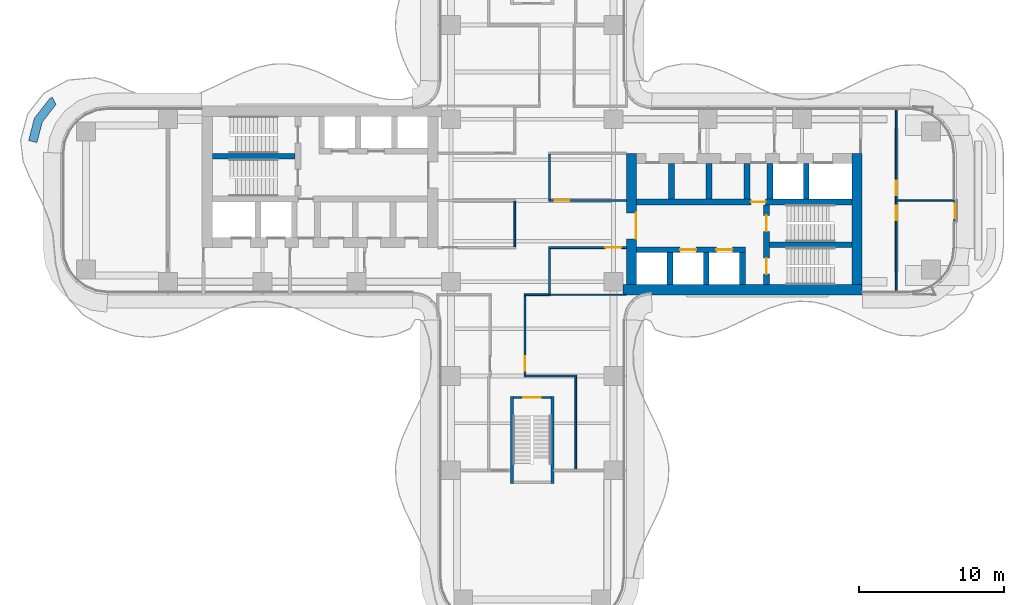
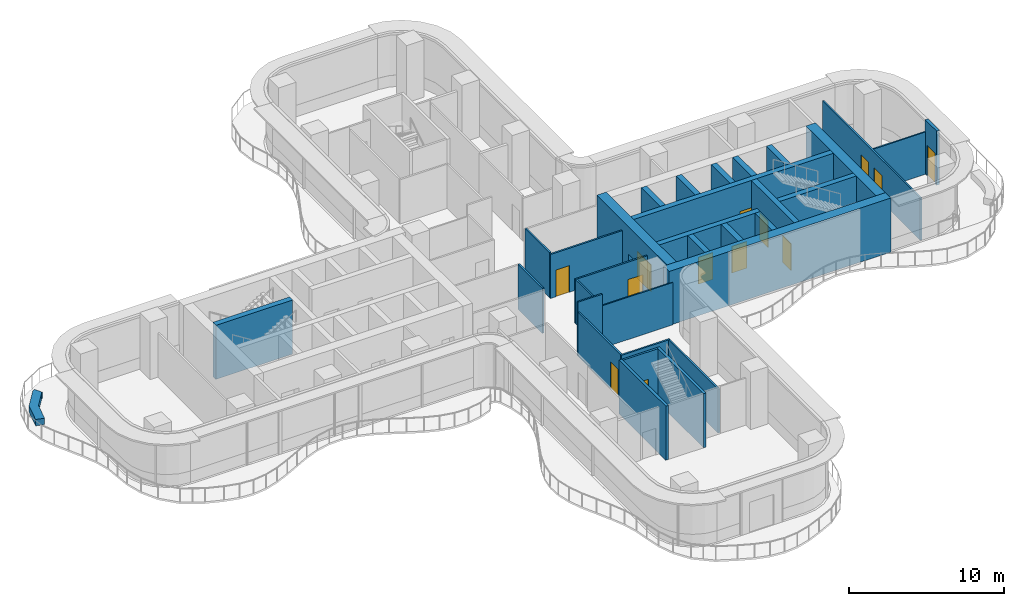
# One storey, part 17 of 21: 33 walls, 13 doors, 13 openings.
"""IFC4 building model written with IfcOpenShell, lengths in metres."""

from ifc_helpers import new_model, si_unit, direction, frame, frame_2d, origin, place, context, subcontext, project, spatial, polyline, rectangle, outline, extrude, source, transform, mapped, material, layer, layer_set, type_object, element, fill, save


model = new_model("IFC4")

# Units and contexts
model_context = context("Model", 3, precision=1e-05, world=origin(), true_north=direction((0.0, 1.0)))
body_context = subcontext(model_context, "Body", "Model", "MODEL_VIEW")
ifc_project = project(units=[si_unit("LENGTHUNIT", "METRE"), si_unit("AREAUNIT", "SQUARE_METRE"), si_unit("VOLUMEUNIT", "CUBIC_METRE"), si_unit("PLANEANGLEUNIT", "RADIAN"), si_unit("MASSUNIT", "GRAM", prefix="KILO")], contexts=[model_context])

# Site, building, storey
site_placement = place(None, origin())
site = spatial("IfcSite", under=ifc_project, at=site_placement, CompositionType="ELEMENT")
building_placement = place(site_placement, origin())
building = spatial("IfcBuilding", under=site, at=building_placement, Name="Trellis Farm Tower", CompositionType="ELEMENT")
storey_placement = place(building_placement, frame((0.0, 0.0, 97.5)))
storey = spatial("IfcBuildingStorey", under=building, at=storey_placement, Name="L20", CompositionType="ELEMENT", Elevation=97.5)

# Wall
ifc_material_1 = material(Name="Sandstone faced masonry planter", Category="masonry")
ifc_layer_1 = layer(ifc_material_1, 0.60009765625)
ifc_layer_set_1 = layer_set([ifc_layer_1], Name="PLANTER BED 600")
wall_type_1 = type_object("IfcWallType", Name="PLANTER BED 600", PredefinedType="USERDEFINED", material=ifc_layer_set_1)
wall_1_placement = place(storey_placement, origin())
element("IfcWall", 1, at=wall_1_placement, inside=storey, type_object=wall_type_1, Name="PLANTER bed", ObjectType="PLANTER", PredefinedType="USERDEFINED", context=body_context, shape_type="SweptSolid", body=[
    extrude(outline(polyline([(-33.260009765625, 7.023681640625), (-33.082275390625, 7.1171875), (-32.802978515625, 6.586181640625), (-32.866943359375, 6.552490234375), (-33.763427734375, 5.407958984375), (-34.134033203125, 3.984130859375), (-34.714599609375, 4.13525390625), (-34.3125, 5.6796875), (-33.260009765625, 7.023681640625)])), origin(), (0.0, 0.0, 1.0), 0.5),
])

# Wall, opening, door
ifc_material_2 = material(Name="Concrete C70/85", Category="concrete")
ifc_layer_2 = layer(ifc_material_2, 0.699951171875)
ifc_layer_set_2 = layer_set([ifc_layer_2], Name="CORE OUTER WALL 700 CONCRETE C70/85")
wall_type_2 = type_object("IfcWallType", Name="CORE OUTER WALL 700 CONCRETE C70/85", PredefinedType="SHEAR", material=ifc_layer_set_2)
shared_shape_1 = source(origin(), body_context, "Body", "SweptSolid", [
    extrude(rectangle(XDim=9.050048828125, YDim=0.699951171875, at=frame_2d((4.52490234375, 0.0))), origin(), (0.0, 0.0, 1.0), 4.25),
])
wall_2_placement = place(storey_placement, frame((6.85009765625, -5.800048828125, 0.0), z_axis=(0.0, 0.0, 1.0), x_axis=(0.0, 1.0, 0.0)))
wall_2 = element("IfcWall", 2, at=wall_2_placement, inside=storey, type_object=wall_type_2, Name="Core wall", PredefinedType="SHEAR", context=body_context, shape_type="MappedRepresentation", body=[
    mapped(shared_shape_1, transform((0.0, 0.0, 0.0))),
])
shared_shape_2 = source(origin(), body_context, "Body", "SweptSolid", [
    extrude(rectangle(XDim=1.800048828125, YDim=2.10009765625, at=frame_2d((0.89990234375, 1.050048828125))), frame((0.0, 0.360107421875, 0.0), z_axis=(0.0, -1.0, 0.0), x_axis=(1.0, 0.0, 0.0)), (0.0, 0.0, 1.0), 0.72021484375),
])
opening_1_placement = place(wall_2_placement, frame((3.14990234375, 0.0, 0.0)))
opening_1 = element("IfcOpeningElement", 3, at=opening_1_placement, cuts=wall_2, Name="Opening DC1", PredefinedType="OPENING", context=body_context, shape_type="MappedRepresentation", body=[
    mapped(shared_shape_2, transform((0.0, 0.0, 0.0))),
])
ifc_material_3 = material(Name="Steel", Category="steel")
door_type_1 = type_object("IfcDoorType", Name="CORE FIRE DOOR DOUBLE 1800 X 2100", OperationType="DOUBLE_DOOR_SINGLE_SWING", PredefinedType="DOOR", material=ifc_material_3)
shared_shape_3 = source(origin(), body_context, "Body", "SweptSolid", [
    extrude(rectangle(XDim=1.800048828125, YDim=2.10009765625, at=frame_2d((0.89990234375, 1.050048828125))), frame((0.0, -0.27490234375, 0.0), z_axis=(0.0, -1.0, 0.0), x_axis=(1.0, 0.0, 0.0)), (0.0, 0.0, 1.0), 0.050048828125),
])
door_1_placement = place(opening_1_placement, origin())
door_1 = element("IfcDoor", 4, at=door_1_placement, inside=storey, type_object=door_type_1, Name="Core door", OperationType="DOUBLE_DOOR_SINGLE_SWING", OverallHeight=2.10009765625, OverallWidth=1.800048828125, PredefinedType="DOOR", context=body_context, shape_type="MappedRepresentation", body=[
    mapped(shared_shape_3, transform((0.0, 0.0, 0.0))),
])
fill(opening_1, door_1)

# Walls
wall_3_placement = place(storey_placement, frame((22.39990234375, -5.800048828125, 0.0), z_axis=(0.0, 0.0, 1.0), x_axis=(0.0, 1.0, 0.0)))
element("IfcWall", 5, at=wall_3_placement, inside=storey, type_object=wall_type_2, Name="Core wall", PredefinedType="SHEAR", context=body_context, shape_type="MappedRepresentation", body=[
    mapped(shared_shape_1, transform((0.0, 0.0, 0.0))),
])
ifc_layer_3 = layer(ifc_material_2, 0.39990234375)
ifc_layer_set_3 = layer_set([ifc_layer_3], Name="CORE INNER WALL 400 CONCRETE C70/85")
wall_type_3 = type_object("IfcWallType", Name="CORE INNER WALL 400 CONCRETE C70/85", PredefinedType="SHEAR", material=ifc_layer_set_3)
shared_shape_4 = source(origin(), body_context, "Body", "SweptSolid", [
    extrude(rectangle(XDim=2.199951171875, YDim=0.39990234375, at=frame_2d((1.10009765625, 0.0))), origin(), (0.0, 0.0, 1.0), 4.25),
])
for number, where, z_axis, x_axis, name in (
    (6, (9.5, -5.800048828125, 0.0), (0.0, 0.0, 1.0), (0.0, 1.0, 0.0), "Core wall"),
    (7, (12.0, -5.800048828125, 0.0), (0.0, 0.0, 1.0), (0.0, 1.0, 0.0), "Core wall"),
    (8, (14.5, -5.800048828125, 0.0), (0.0, 0.0, 1.0), (0.0, 1.0, 0.0), "Core wall"),
):
    element("IfcWall", number, at=place(storey_placement, frame(where, z_axis=z_axis, x_axis=x_axis)), inside=storey, type_object=wall_type_3, Name=name, PredefinedType="SHEAR", context=body_context, shape_type="MappedRepresentation", body=[
        mapped(shared_shape_4, transform((0.0, 0.0, 0.0))),
    ])
shared_shape_5 = source(origin(), body_context, "Body", "SweptSolid", [
    extrude(rectangle(XDim=2.449951171875, YDim=0.39990234375, at=frame_2d((1.22509765625, 0.0))), origin(), (0.0, 0.0, 1.0), 4.25),
])
for number, where, z_axis, x_axis, name in (
    (9, (9.60009765625, 0.10009765625, 0.0), (0.0, 0.0, 1.0), (0.0, 1.0, 0.0), "Core wall"),
    (10, (12.199951171875, 0.10009765625, 0.0), (0.0, 0.0, 1.0), (0.0, 1.0, 0.0), "Core wall"),
    (11, (14.800048828125, 0.10009765625, 0.0), (0.0, 0.0, 1.0), (0.0, 1.0, 0.0), "Core wall"),
    (12, (16.39990234375, 0.10009765625, 0.0), (0.0, 0.0, 1.0), (0.0, 1.0, 0.0), "Core wall"),
    (13, (18.89990234375, 0.10009765625, 0.0), (0.0, 0.0, 1.0), (0.0, 1.0, 0.0), "Core wall"),
):
    element("IfcWall", number, at=place(storey_placement, frame(where, z_axis=z_axis, x_axis=x_axis)), inside=storey, type_object=wall_type_3, Name=name, PredefinedType="SHEAR", context=body_context, shape_type="MappedRepresentation", body=[
        mapped(shared_shape_5, transform((0.0, 0.0, 0.0))),
    ])

# Wall, openings, doors
shared_shape_6 = source(origin(), body_context, "Body", "SweptSolid", [
    extrude(rectangle(XDim=7.5, YDim=0.39990234375, at=frame_2d((3.75, 0.0))), origin(), (0.0, 0.0, 1.0), 4.25),
])
wall_4_placement = place(storey_placement, frame((7.199951171875, -3.39990234375, 0.0), z_axis=(0.0, 0.0, 1.0), x_axis=(1.0, 0.0, 0.0)))
wall_4 = element("IfcWall", 14, at=wall_4_placement, inside=storey, type_object=wall_type_3, Name="Core wall", PredefinedType="SHEAR", context=body_context, shape_type="MappedRepresentation", body=[
    mapped(shared_shape_6, transform((0.0, 0.0, 0.0))),
])
shared_shape_7 = source(origin(), body_context, "Body", "SweptSolid", [
    extrude(rectangle(XDim=1.10009765625, YDim=2.10009765625, at=frame_2d((0.550048828125, 1.050048828125))), frame((0.0, 0.2099609375, 0.0), z_axis=(0.0, -1.0, 0.0), x_axis=(1.0, 0.0, 0.0)), (0.0, 0.0, 1.0), 0.419921875),
])
opening_2_placement = place(wall_4_placement, frame((3.0, 0.0, 0.0)))
opening_2 = element("IfcOpeningElement", 15, at=opening_2_placement, cuts=wall_4, Name="Opening LD2", PredefinedType="OPENING", context=body_context, shape_type="MappedRepresentation", body=[
    mapped(shared_shape_7, transform((0.0, 0.0, 0.0))),
])
opening_3_placement = place(wall_4_placement, frame((5.5, 0.0, 0.0)))
opening_3 = element("IfcOpeningElement", 16, at=opening_3_placement, cuts=wall_4, Name="Opening LD3", PredefinedType="OPENING", context=body_context, shape_type="MappedRepresentation", body=[
    mapped(shared_shape_7, transform((0.0, 0.0, 0.0))),
])
ifc_material_4 = material(Name="Stainless steel", Category="steel")
door_type_2 = type_object("IfcDoorType", Name="LIFT LANDING DOOR 1100 X 2100", OperationType="DOUBLE_DOOR_SLIDING", PredefinedType="DOOR", material=ifc_material_4)
shared_shape_8 = source(origin(), body_context, "Body", "SweptSolid", [
    extrude(rectangle(XDim=1.10009765625, YDim=2.10009765625, at=frame_2d((0.550048828125, 1.050048828125))), frame((0.0, 0.02490234375, 0.0), z_axis=(0.0, -1.0, 0.0), x_axis=(1.0, 0.0, 0.0)), (0.0, 0.0, 1.0), 0.050048828125),
])
door_2_placement = place(opening_2_placement, origin())
door_2 = element("IfcDoor", 17, at=door_2_placement, inside=storey, type_object=door_type_2, Name="Lift landing door", OperationType="DOUBLE_DOOR_SLIDING", OverallHeight=2.10009765625, OverallWidth=1.10009765625, PredefinedType="DOOR", context=body_context, shape_type="MappedRepresentation", body=[
    mapped(shared_shape_8, transform((0.0, 0.0, 0.0))),
])
fill(opening_2, door_2)
door_3_placement = place(opening_3_placement, origin())
door_3 = element("IfcDoor", 18, at=door_3_placement, inside=storey, type_object=door_type_2, Name="Lift landing door", OperationType="DOUBLE_DOOR_SLIDING", OverallHeight=2.10009765625, OverallWidth=1.10009765625, PredefinedType="DOOR", context=body_context, shape_type="MappedRepresentation", body=[
    mapped(shared_shape_8, transform((0.0, 0.0, 0.0))),
])
fill(opening_3, door_3)

# Wall, opening, door
shared_shape_9 = source(origin(), body_context, "Body", "SweptSolid", [
    extrude(rectangle(XDim=14.85009765625, YDim=0.39990234375, at=frame_2d((7.425048828125, 0.0))), origin(), (0.0, 0.0, 1.0), 4.25),
])
wall_5_placement = place(storey_placement, frame((7.199951171875, -0.10009765625, 0.0), z_axis=(0.0, 0.0, 1.0), x_axis=(1.0, 0.0, 0.0)))
wall_5 = element("IfcWall", 19, at=wall_5_placement, inside=storey, type_object=wall_type_3, Name="Core wall", PredefinedType="SHEAR", context=body_context, shape_type="MappedRepresentation", body=[
    mapped(shared_shape_9, transform((0.0, 0.0, 0.0))),
])
shared_shape_10 = source(origin(), body_context, "Body", "SweptSolid", [
    extrude(rectangle(XDim=1.0, YDim=2.10009765625, at=frame_2d((0.5, 1.050048828125))), frame((0.0, 0.2099609375, 0.0), z_axis=(0.0, -1.0, 0.0), x_axis=(1.0, 0.0, 0.0)), (0.0, 0.0, 1.0), 0.419921875),
])
opening_4_placement = place(wall_5_placement, frame((7.89990234375, 0.0, 0.0)))
opening_4 = element("IfcOpeningElement", 20, at=opening_4_placement, cuts=wall_5, Name="Opening DC5", PredefinedType="OPENING", context=body_context, shape_type="MappedRepresentation", body=[
    mapped(shared_shape_10, transform((0.0, 0.0, 0.0))),
])
door_type_3 = type_object("IfcDoorType", Name="CORE FIRE DOOR 1000 X 2100", OperationType="NOTDEFINED", PredefinedType="DOOR", material=ifc_material_3)
shared_shape_11 = source(origin(), body_context, "Body", "SweptSolid", [
    extrude(rectangle(XDim=1.0, YDim=2.10009765625, at=frame_2d((0.5, 1.050048828125))), frame((0.0, 0.02490234375, 0.0), z_axis=(0.0, -1.0, 0.0), x_axis=(1.0, 0.0, 0.0)), (0.0, 0.0, 1.0), 0.050048828125),
])
door_4_placement = place(opening_4_placement, origin())
door_4 = element("IfcDoor", 21, at=door_4_placement, inside=storey, type_object=door_type_3, Name="Core door", OperationType="SINGLE_SWING_RIGHT", OverallHeight=2.10009765625, OverallWidth=1.0, PredefinedType="DOOR", context=body_context, shape_type="MappedRepresentation", body=[
    mapped(shared_shape_11, transform((0.0, 0.0, 0.0))),
])
fill(opening_4, door_4)

# Wall, openings, doors
shared_shape_12 = source(origin(), body_context, "Body", "SweptSolid", [
    extrude(rectangle(XDim=5.5, YDim=0.39990234375, at=frame_2d((2.75, 0.0))), origin(), (0.0, 0.0, 1.0), 4.25),
])
wall_6_placement = place(storey_placement, frame((16.14990234375, -5.800048828125, 0.0), z_axis=(0.0, 0.0, 1.0), x_axis=(0.0, 1.0, 0.0)))
wall_6 = element("IfcWall", 22, at=wall_6_placement, inside=storey, type_object=wall_type_3, Name="Core wall", PredefinedType="SHEAR", context=body_context, shape_type="MappedRepresentation", body=[
    mapped(shared_shape_12, transform((0.0, 0.0, 0.0))),
])
opening_5_placement = place(wall_6_placement, frame((0.72509765625, 0.0, 0.0)))
opening_5 = element("IfcOpeningElement", 23, at=opening_5_placement, cuts=wall_6, Name="Opening DC2", PredefinedType="OPENING", context=body_context, shape_type="MappedRepresentation", body=[
    mapped(shared_shape_7, transform((0.0, 0.0, 0.0))),
])
opening_6_placement = place(wall_6_placement, frame((3.675048828125, 0.0, 0.0)))
opening_6 = element("IfcOpeningElement", 24, at=opening_6_placement, cuts=wall_6, Name="Opening DC3", PredefinedType="OPENING", context=body_context, shape_type="MappedRepresentation", body=[
    mapped(shared_shape_7, transform((0.0, 0.0, 0.0))),
])
door_type_4 = type_object("IfcDoorType", Name="CORE FIRE DOOR 1100 X 2100", OperationType="NOTDEFINED", PredefinedType="DOOR", material=ifc_material_3)
door_5_placement = place(opening_5_placement, origin())
door_5 = element("IfcDoor", 25, at=door_5_placement, inside=storey, type_object=door_type_4, Name="Core door", OperationType="SINGLE_SWING_RIGHT", OverallHeight=2.10009765625, OverallWidth=1.10009765625, PredefinedType="DOOR", context=body_context, shape_type="MappedRepresentation", body=[
    mapped(shared_shape_8, transform((0.0, 0.0, 0.0))),
])
fill(opening_5, door_5)
door_6_placement = place(opening_6_placement, origin())
door_6 = element("IfcDoor", 26, at=door_6_placement, inside=storey, type_object=door_type_4, Name="Core door", OperationType="SINGLE_SWING_LEFT", OverallHeight=2.10009765625, OverallWidth=1.10009765625, PredefinedType="DOOR", context=body_context, shape_type="MappedRepresentation", body=[
    mapped(shared_shape_8, transform((0.0, 0.0, 0.0))),
])
fill(opening_6, door_6)

# Walls
shared_shape_13 = source(origin(), body_context, "Body", "SweptSolid", [
    extrude(rectangle(XDim=5.699951171875, YDim=0.39990234375, at=frame_2d((2.85009765625, 0.0))), origin(), (0.0, 0.0, 1.0), 4.25),
])
for number, where, z_axis, x_axis, name in (
    (27, (16.35009765625, -3.050048828125, 0.0), (0.0, 0.0, 1.0), (1.0, 0.0, 0.0), "Core wall"),
    (28, (-16.35009765625, 3.050048828125, 0.0), (0.0, 0.0, 1.0), (-1.0, 0.0, 0.0), "Core wall"),
):
    element("IfcWall", number, at=place(storey_placement, frame(where, z_axis=z_axis, x_axis=x_axis)), inside=storey, type_object=wall_type_3, Name=name, PredefinedType="SHEAR", context=body_context, shape_type="MappedRepresentation", body=[
        mapped(shared_shape_13, transform((0.0, 0.0, 0.0))),
    ])
shared_shape_14 = source(origin(), body_context, "Body", "SweptSolid", [
    extrude(rectangle(XDim=16.5, YDim=0.699951171875, at=frame_2d((8.25, 0.0))), origin(), (0.0, 0.0, 1.0), 4.25),
])
wall_7_placement = place(storey_placement, frame((6.25, -6.14990234375, 0.0), z_axis=(0.0, 0.0, 1.0), x_axis=(1.0, 0.0, 0.0)))
element("IfcWall", 29, at=wall_7_placement, inside=storey, type_object=wall_type_2, Name="Core wall", PredefinedType="SHEAR", context=body_context, shape_type="MappedRepresentation", body=[
    mapped(shared_shape_14, transform((0.0, 0.0, 0.0))),
])
ifc_layer_4 = layer(ifc_material_2, 0.199951171875)
ifc_layer_set_4 = layer_set([ifc_layer_4], Name="CORE STAIR ENCLOSURE WALL 200 CONCRETE C70/85")
wall_type_4 = type_object("IfcWallType", Name="CORE STAIR ENCLOSURE WALL 200 CONCRETE C70/85", PredefinedType="SHEAR", material=ifc_layer_set_4)
shared_shape_15 = source(origin(), body_context, "Body", "SweptSolid", [
    extrude(rectangle(XDim=6.0, YDim=0.199951171875, at=frame_2d((3.0, 0.0))), origin(), (0.0, 0.0, 1.0), 4.25),
])
for number, where, z_axis, x_axis, name in (
    (30, (1.39990234375, -13.5, 0.0), (0.0, 0.0, 1.0), (0.0, -1.0, 0.0), "Stair enclosure wall"),
    (31, (-1.39990234375, -13.5, 0.0), (0.0, 0.0, 1.0), (0.0, -1.0, 0.0), "Stair enclosure wall"),
):
    element("IfcWall", number, at=place(storey_placement, frame(where, z_axis=z_axis, x_axis=x_axis)), inside=storey, type_object=wall_type_4, Name=name, PredefinedType="SHEAR", context=body_context, shape_type="MappedRepresentation", body=[
        mapped(shared_shape_15, transform((0.0, 0.0, 0.0))),
    ])

# Wall, opening, door
ifc_layer_5 = layer(ifc_material_2, 0.14990234375)
ifc_layer_set_5 = layer_set([ifc_layer_5], Name="CORE STAIR ENCLOSURE WALL 150 CONCRETE C70/85")
wall_type_5 = type_object("IfcWallType", Name="CORE STAIR ENCLOSURE WALL 150 CONCRETE C70/85", PredefinedType="SHEAR", material=ifc_layer_set_5)
shared_shape_16 = source(origin(), body_context, "Body", "SweptSolid", [
    extrude(rectangle(XDim=2.60009765625, YDim=0.14990234375, at=frame_2d((1.300048828125, 0.0))), origin(), (0.0, 0.0, 1.0), 4.25),
])
wall_8_placement = place(storey_placement, frame((1.300048828125, -13.574951171875, 0.0), z_axis=(0.0, 0.0, 1.0), x_axis=(-1.0, 0.0, 0.0)))
wall_8 = element("IfcWall", 32, at=wall_8_placement, inside=storey, type_object=wall_type_5, Name="Stair enclosure wall", PredefinedType="SHEAR", context=body_context, shape_type="MappedRepresentation", body=[
    mapped(shared_shape_16, transform((0.0, 0.0, 0.0))),
])
shared_shape_17 = source(origin(), body_context, "Body", "SweptSolid", [
    extrude(rectangle(XDim=1.199951171875, YDim=2.10009765625, at=frame_2d((0.60009765625, 1.050048828125))), frame((0.0, 0.0849609375, 0.0), z_axis=(0.0, -1.0, 0.0), x_axis=(1.0, 0.0, 0.0)), (0.0, 0.0, 1.0), 0.169921875),
])
opening_7_placement = place(wall_8_placement, frame((0.699951171875, 0.0, 0.0)))
opening_7 = element("IfcOpeningElement", 33, at=opening_7_placement, cuts=wall_8, Name="Opening DC174", PredefinedType="OPENING", context=body_context, shape_type="MappedRepresentation", body=[
    mapped(shared_shape_17, transform((0.0, 0.0, 0.0))),
])
door_type_5 = type_object("IfcDoorType", Name="CORE FIRE DOOR 1200 X 2100", OperationType="NOTDEFINED", PredefinedType="DOOR", material=ifc_material_3)
shared_shape_18 = source(origin(), body_context, "Body", "SweptSolid", [
    extrude(rectangle(XDim=1.199951171875, YDim=2.10009765625, at=frame_2d((0.60009765625, 1.050048828125))), frame((0.0, 0.02490234375, 0.0), z_axis=(0.0, -1.0, 0.0), x_axis=(1.0, 0.0, 0.0)), (0.0, 0.0, 1.0), 0.050048828125),
])
door_7_placement = place(opening_7_placement, origin())
door_7 = element("IfcDoor", 34, at=door_7_placement, inside=storey, type_object=door_type_5, Name="Core door", OperationType="SINGLE_SWING_RIGHT", OverallHeight=2.10009765625, OverallWidth=1.199951171875, PredefinedType="DOOR", context=body_context, shape_type="MappedRepresentation", body=[
    mapped(shared_shape_18, transform((0.0, 0.0, 0.0))),
])
fill(opening_7, door_7)

ifc_material_5 = material(Name="Sandstone faced insulated wall", Category="masonry")
ifc_layer_6 = layer(ifc_material_5, 0.199951171875)
ifc_layer_set_6 = layer_set([ifc_layer_6], Name="EXTERNAL INFILL WALL 200")
wall_type_6 = type_object("IfcWallType", Name="EXTERNAL INFILL WALL 200", PredefinedType="SOLIDWALL", material=ifc_layer_set_6)
shared_shape_19 = source(origin(), body_context, "Body", "SweptSolid", [
    extrude(rectangle(XDim=1.5, YDim=0.199951171875, at=frame_2d((0.75, 0.0))), origin(), (0.0, 0.0, 1.0), 4.25),
])
wall_9_placement = place(storey_placement, frame((29.14990234375, -1.47998046875, 0.0), z_axis=(0.0, 0.0, 1.0), x_axis=(0.0, 1.0, 0.0)))
wall_9 = element("IfcWall", 35, at=wall_9_placement, inside=storey, type_object=wall_type_6, Name="EW1 02", PredefinedType="SOLIDWALL", context=body_context, shape_type="MappedRepresentation", body=[
    mapped(shared_shape_19, transform((0.0, 0.0, 0.0))),
])
shared_shape_20 = source(origin(), body_context, "Body", "SweptSolid", [
    extrude(rectangle(XDim=1.0, YDim=2.39990234375, at=frame_2d((0.5, 1.199951171875))), frame((0.0, 0.110107421875, 0.0), z_axis=(0.0, -1.0, 0.0), x_axis=(1.0, 0.0, 0.0)), (0.0, 0.0, 1.0), 0.22021484375),
])
opening_8_placement = place(wall_9_placement, frame((0.25, 0.0, 0.0)))
opening_8 = element("IfcOpeningElement", 36, at=opening_8_placement, cuts=wall_9, Name="Opening ED2", PredefinedType="OPENING", context=body_context, shape_type="MappedRepresentation", body=[
    mapped(shared_shape_20, transform((0.0, 0.0, 0.0))),
])
ifc_material_6 = material(Name="Aluminium framed glazed door", Category="aluminium")
door_type_6 = type_object("IfcDoorType", Name="BALCONY DOOR 1000x2400", OperationType="SINGLE_SWING_LEFT", PredefinedType="DOOR", material=ifc_material_6)
shared_shape_21 = source(origin(), body_context, "Body", "SweptSolid", [
    extrude(rectangle(XDim=1.0, YDim=2.39990234375, at=frame_2d((0.5, 1.199951171875))), frame((0.0, 0.02490234375, 0.0), z_axis=(0.0, -1.0, 0.0), x_axis=(1.0, 0.0, 0.0)), (0.0, 0.0, 1.0), 0.050048828125),
])
door_8_placement = place(opening_8_placement, origin())
door_8 = element("IfcDoor", 37, at=door_8_placement, inside=storey, type_object=door_type_6, Name="Balcony door", OperationType="SINGLE_SWING_LEFT", OverallHeight=2.39990234375, OverallWidth=1.0, PredefinedType="DOOR", context=body_context, shape_type="MappedRepresentation", body=[
    mapped(shared_shape_21, transform((0.0, 0.0, 0.0))),
])
fill(opening_8, door_8)

# Walls
ifc_material_7 = material(Name="Plasterboard on steel studs, mineral wool", Category="steel")
ifc_layer_7 = layer(ifc_material_7, 0.125)
ifc_layer_set_7 = layer_set([ifc_layer_7], Name="PARTITION 125 STUD EI 60")
wall_type_7 = type_object("IfcWallType", Name="PARTITION 125 STUD EI 60", PredefinedType="PARTITIONING", material=ifc_layer_set_7)
shared_shape_22 = source(origin(), body_context, "Body", "SweptSolid", [
    extrude(rectangle(XDim=3.125, YDim=0.125, at=frame_2d((1.5625, 0.0))), origin(), (0.0, 0.0, 1.0), 3.54638671875),
])
for number, where, z_axis, x_axis, name in (
    (38, (-1.199951171875, -0.0625, 0.0), (0.0, 0.0, 1.0), (0.0, -1.0, 0.0), "Partition PW1"),
    (39, (1.199951171875, 3.1875, 0.0), (0.0, 0.0, 1.0), (0.0, -1.0, 0.0), "Partition PW1"),
):
    element("IfcWall", number, at=place(storey_placement, frame(where, z_axis=z_axis, x_axis=x_axis)), inside=storey, type_object=wall_type_7, Name=name, PredefinedType="PARTITIONING", context=body_context, shape_type="MappedRepresentation", body=[
        mapped(shared_shape_22, transform((0.0, 0.0, 0.0))),
    ])

# Wall, opening, door
shared_shape_23 = source(origin(), body_context, "Body", "SweptSolid", [
    extrude(rectangle(XDim=5.47509765625, YDim=0.125, at=frame_2d((2.737548828125, 0.0))), origin(), (0.0, 0.0, 1.0), 3.4677734375),
])
wall_10_placement = place(storey_placement, frame((-0.5, -12.03759765625, 0.0), z_axis=(0.0, 0.0, 1.0), x_axis=(0.0, 1.0, 0.0)))
wall_10 = element("IfcWall", 40, at=wall_10_placement, inside=storey, type_object=wall_type_7, Name="Partition PW1", PredefinedType="PARTITIONING", context=body_context, shape_type="MappedRepresentation", body=[
    mapped(shared_shape_23, transform((0.0, 0.0, 0.0))),
])
shared_shape_24 = source(origin(), body_context, "Body", "SweptSolid", [
    extrude(rectangle(XDim=1.0, YDim=2.10009765625, at=frame_2d((0.5, 1.050048828125))), frame((0.0, 0.072509765625, 0.0), z_axis=(0.0, -1.0, 0.0), x_axis=(1.0, 0.0, 0.0)), (0.0, 0.0, 1.0), 0.14501953125),
])
opening_9_placement = place(wall_10_placement, frame((0.28759765625, 0.0, 0.0)))
opening_9 = element("IfcOpeningElement", 41, at=opening_9_placement, cuts=wall_10, Name="Opening D102", PredefinedType="OPENING", context=body_context, shape_type="MappedRepresentation", body=[
    mapped(shared_shape_24, transform((0.0, 0.0, 0.0))),
])
ifc_material_8 = material(Name="Fire-rated timber door leaf in a hollow metal frame", Category="wood")
door_type_7 = type_object("IfcDoorType", Name="DOOR 1000x2100 FD30S", OperationType="NOTDEFINED", PredefinedType="DOOR", material=ifc_material_8)
door_9_placement = place(opening_9_placement, origin())
door_9 = element("IfcDoor", 42, at=door_9_placement, inside=storey, type_object=door_type_7, Name="Door D102", OperationType="SINGLE_SWING_LEFT", OverallHeight=2.10009765625, OverallWidth=1.0, PredefinedType="DOOR", context=body_context, shape_type="MappedRepresentation", body=[
    mapped(shared_shape_11, transform((0.0, 0.0, 0.0))),
])
fill(opening_9, door_9)

shared_shape_25 = source(origin(), body_context, "Body", "SweptSolid", [
    extrude(rectangle(XDim=5.362548828125, YDim=0.125, at=frame_2d((2.68115234375, 0.0))), origin(), (0.0, 0.0, 1.0), 3.4677734375),
])
wall_11_placement = place(storey_placement, frame((6.5, -3.25, 0.0), z_axis=(0.0, 0.0, 1.0), x_axis=(-1.0, 0.0, 0.0)))
wall_11 = element("IfcWall", 43, at=wall_11_placement, inside=storey, type_object=wall_type_7, Name="Partition PW1", PredefinedType="PARTITIONING", context=body_context, shape_type="MappedRepresentation", body=[
    mapped(shared_shape_25, transform((0.0, 0.0, 0.0))),
])
shared_shape_26 = source(origin(), body_context, "Body", "SweptSolid", [
    extrude(rectangle(XDim=1.10009765625, YDim=2.10009765625, at=frame_2d((0.550048828125, 1.050048828125))), frame((0.0, 0.072509765625, 0.0), z_axis=(0.0, -1.0, 0.0), x_axis=(1.0, 0.0, 0.0)), (0.0, 0.0, 1.0), 0.14501953125),
])
opening_10_placement = place(wall_11_placement, frame((0.35009765625, 0.0, 0.0)))
opening_10 = element("IfcOpeningElement", 44, at=opening_10_placement, cuts=wall_11, Name="Opening D501", PredefinedType="OPENING", context=body_context, shape_type="MappedRepresentation", body=[
    mapped(shared_shape_26, transform((0.0, 0.0, 0.0))),
])
door_type_8 = type_object("IfcDoorType", Name="DOOR 1100x2100 FD30S", OperationType="NOTDEFINED", PredefinedType="DOOR", material=ifc_material_8)
door_10_placement = place(opening_10_placement, origin())
door_10 = element("IfcDoor", 45, at=door_10_placement, inside=storey, type_object=door_type_8, Name="Door D501", OperationType="SINGLE_SWING_LEFT", OverallHeight=2.10009765625, OverallWidth=1.10009765625, PredefinedType="DOOR", context=body_context, shape_type="MappedRepresentation", body=[
    mapped(shared_shape_8, transform((0.0, 0.0, 0.0))),
])
fill(opening_10, door_10)

wall_12_placement = place(storey_placement, frame((6.5, 0.0, 0.0), z_axis=(0.0, 0.0, 1.0), x_axis=(-1.0, 0.0, 0.0)))
wall_12 = element("IfcWall", 46, at=wall_12_placement, inside=storey, type_object=wall_type_7, Name="Partition PW1", PredefinedType="PARTITIONING", context=body_context, shape_type="MappedRepresentation", body=[
    mapped(shared_shape_25, transform((0.0, 0.0, 0.0))),
])
opening_11_placement = place(wall_12_placement, frame((3.949951171875, 0.0, 0.0)))
opening_11 = element("IfcOpeningElement", 47, at=opening_11_placement, cuts=wall_12, Name="Opening D106", PredefinedType="OPENING", context=body_context, shape_type="MappedRepresentation", body=[
    mapped(shared_shape_24, transform((0.0, 0.0, 0.0))),
])
door_11_placement = place(opening_11_placement, origin())
door_11 = element("IfcDoor", 48, at=door_11_placement, inside=storey, type_object=door_type_7, Name="Door D106", OperationType="SINGLE_SWING_RIGHT", OverallHeight=2.10009765625, OverallWidth=1.0, PredefinedType="DOOR", context=body_context, shape_type="MappedRepresentation", body=[
    mapped(shared_shape_11, transform((0.0, 0.0, 0.0))),
])
fill(opening_11, door_11)

# Walls
shared_shape_27 = source(origin(), body_context, "Body", "SweptSolid", [
    extrude(rectangle(XDim=3.137451171875, YDim=0.125, at=frame_2d((1.56884765625, 0.0))), origin(), (0.0, 0.0, 1.0), 3.4677734375),
])
wall_13_placement = place(storey_placement, frame((1.199951171875, -3.3125, 0.0), z_axis=(0.0, 0.0, 1.0), x_axis=(0.0, -1.0, 0.0)))
element("IfcWall", 49, at=wall_13_placement, inside=storey, type_object=wall_type_7, Name="Partition PW1", PredefinedType="PARTITIONING", context=body_context, shape_type="MappedRepresentation", body=[
    mapped(shared_shape_27, transform((0.0, 0.0, 0.0))),
])
ifc_material_9 = material(Name="Plasterboard on steel studs", Category="steel")
ifc_layer_8 = layer(ifc_material_9, 0.10009765625)
ifc_layer_set_8 = layer_set([ifc_layer_8], Name="PARTITION 100 STUD EI 30")
wall_type_8 = type_object("IfcWallType", Name="PARTITION 100 STUD EI 30", PredefinedType="PARTITIONING", material=ifc_layer_set_8)
shared_shape_28 = source(origin(), body_context, "Body", "SweptSolid", [
    extrude(rectangle(XDim=5.362548828125, YDim=0.10009765625, at=frame_2d((2.68115234375, 0.0))), origin(), (0.0, 0.0, 1.0), 3.330078125),
])
wall_14_placement = place(storey_placement, frame((1.137451171875, -6.5, 0.0), z_axis=(0.0, 0.0, 1.0), x_axis=(1.0, 0.0, 0.0)))
element("IfcWall", 50, at=wall_14_placement, inside=storey, type_object=wall_type_8, Name="Partition PW2", PredefinedType="PARTITIONING", context=body_context, shape_type="MappedRepresentation", body=[
    mapped(shared_shape_28, transform((0.0, 0.0, 0.0))),
])
shared_shape_29 = source(origin(), body_context, "Body", "SweptSolid", [
    extrude(rectangle(XDim=6.387451171875, YDim=0.125, at=frame_2d((3.19384765625, 0.0))), origin(), (0.0, 0.0, 1.0), 3.4677734375),
])
wall_15_placement = place(storey_placement, frame((3.0, -12.16259765625, 0.0), z_axis=(0.0, 0.0, 1.0), x_axis=(0.0, -1.0, 0.0)))
element("IfcWall", 51, at=wall_15_placement, inside=storey, type_object=wall_type_7, Name="Partition PW1", PredefinedType="PARTITIONING", context=body_context, shape_type="MappedRepresentation", body=[
    mapped(shared_shape_29, transform((0.0, 0.0, 0.0))),
])
shared_shape_30 = source(origin(), body_context, "Body", "SweptSolid", [
    extrude(rectangle(XDim=1.824951171875, YDim=0.125, at=frame_2d((0.91259765625, 0.0))), origin(), (0.0, 0.0, 1.0), 4.25),
])
wall_16_placement = place(storey_placement, frame((1.262451171875, -6.5, 0.0), z_axis=(0.0, 0.0, 1.0), x_axis=(-1.0, 0.0, 0.0)))
element("IfcWall", 52, at=wall_16_placement, inside=storey, type_object=wall_type_7, Name="Partition PW1", PredefinedType="PARTITIONING", context=body_context, shape_type="MappedRepresentation", body=[
    mapped(shared_shape_30, transform((0.0, 0.0, 0.0))),
])
shared_shape_31 = source(origin(), body_context, "Body", "SweptSolid", [
    extrude(rectangle(XDim=3.625, YDim=0.125, at=frame_2d((1.8125, 0.0))), origin(), (0.0, 0.0, 1.0), 3.4677734375),
])
wall_17_placement = place(storey_placement, frame((-0.5625, -12.10009765625, 0.0), z_axis=(0.0, 0.0, 1.0), x_axis=(1.0, 0.0, 0.0)))
element("IfcWall", 53, at=wall_17_placement, inside=storey, type_object=wall_type_7, Name="Partition PW1", PredefinedType="PARTITIONING", context=body_context, shape_type="MappedRepresentation", body=[
    mapped(shared_shape_31, transform((0.0, 0.0, 0.0))),
])

# Wall, openings, doors
shared_shape_32 = source(origin(), body_context, "Body", "SweptSolid", [
    extrude(rectangle(XDim=12.60009765625, YDim=0.125, at=frame_2d((6.300048828125, 0.0))), origin(), (0.0, 0.0, 1.0), 3.330078125),
])
wall_18_placement = place(storey_placement, frame((25.10009765625, 6.300048828125, 0.0), z_axis=(0.0, 0.0, 1.0), x_axis=(0.0, -1.0, 0.0)))
wall_18 = element("IfcWall", 54, at=wall_18_placement, inside=storey, type_object=wall_type_7, Name="Partition PW1", PredefinedType="PARTITIONING", context=body_context, shape_type="MappedRepresentation", body=[
    mapped(shared_shape_32, transform((0.0, 0.0, 0.0))),
])
opening_12_placement = place(wall_18_placement, frame((6.64990234375, 0.0, 0.0)))
opening_12 = element("IfcOpeningElement", 55, at=opening_12_placement, cuts=wall_18, Name="Opening D105", PredefinedType="OPENING", context=body_context, shape_type="MappedRepresentation", body=[
    mapped(shared_shape_24, transform((0.0, 0.0, 0.0))),
])
opening_13_placement = place(wall_18_placement, frame((4.949951171875, 0.0, 0.0)))
opening_13 = element("IfcOpeningElement", 56, at=opening_13_placement, cuts=wall_18, Name="Opening D107", PredefinedType="OPENING", context=body_context, shape_type="MappedRepresentation", body=[
    mapped(shared_shape_24, transform((0.0, 0.0, 0.0))),
])
door_12_placement = place(opening_12_placement, origin())
door_12 = element("IfcDoor", 57, at=door_12_placement, inside=storey, type_object=door_type_7, Name="Door D105", OperationType="SINGLE_SWING_LEFT", OverallHeight=2.10009765625, OverallWidth=1.0, PredefinedType="DOOR", context=body_context, shape_type="MappedRepresentation", body=[
    mapped(shared_shape_11, transform((0.0, 0.0, 0.0))),
])
fill(opening_12, door_12)
door_13_placement = place(opening_13_placement, origin())
door_13 = element("IfcDoor", 58, at=door_13_placement, inside=storey, type_object=door_type_7, Name="Door D107", OperationType="SINGLE_SWING_RIGHT", OverallHeight=2.10009765625, OverallWidth=1.0, PredefinedType="DOOR", context=body_context, shape_type="MappedRepresentation", body=[
    mapped(shared_shape_11, transform((0.0, 0.0, 0.0))),
])
fill(opening_13, door_13)

# Wall
shared_shape_33 = source(origin(), body_context, "Body", "SweptSolid", [
    extrude(rectangle(XDim=3.887451171875, YDim=0.10009765625, at=frame_2d((1.94384765625, 0.0))), origin(), (0.0, 0.0, 1.0), 3.330078125),
])
wall_19_placement = place(storey_placement, frame((25.16259765625, 0.0, 0.0), z_axis=(0.0, 0.0, 1.0), x_axis=(1.0, 0.0, 0.0)))
element("IfcWall", 59, at=wall_19_placement, inside=storey, type_object=wall_type_8, Name="Partition PW2", PredefinedType="PARTITIONING", context=body_context, shape_type="MappedRepresentation", body=[
    mapped(shared_shape_33, transform((0.0, 0.0, 0.0))),
])

save(model, "model.ifc")
